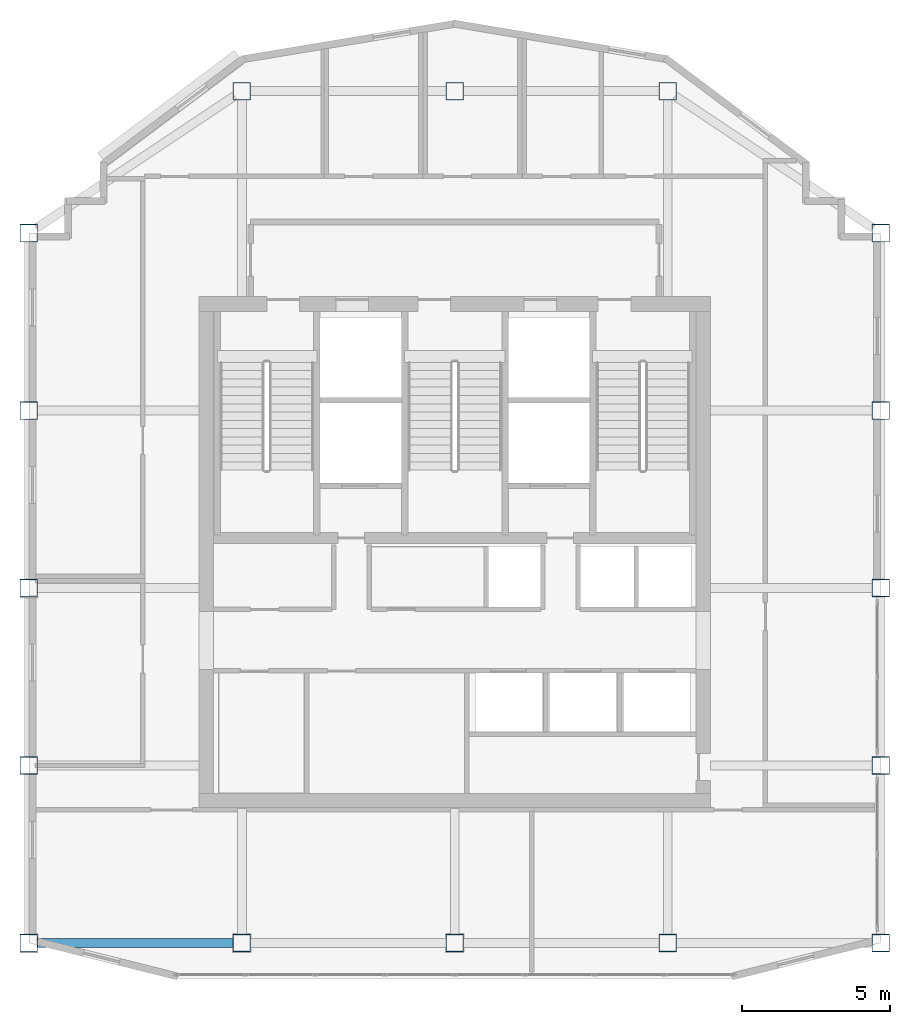
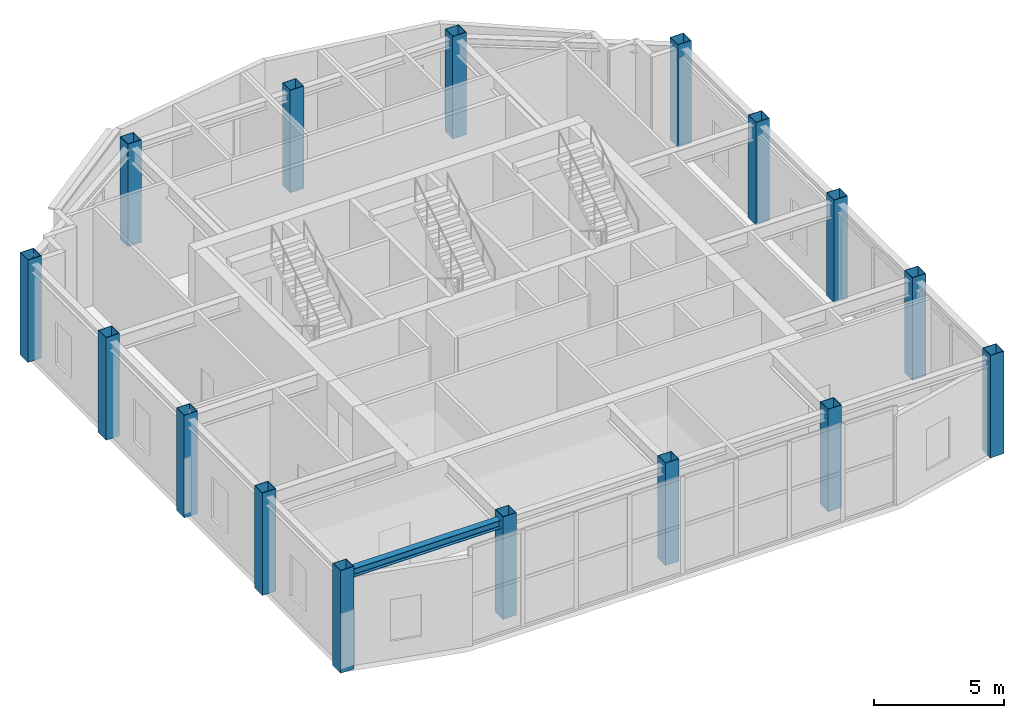
# One storey, part 1 of 11: 16 columns, 1 beam.
"""IFC4 building model written with IfcOpenShell, lengths in metres."""

from ifc_helpers import new_model, si_unit, direction, frame, origin, origin_2d, place, context, subcontext, project, spatial, hollow_rectangle, i_section, extrude, material, material_profile, profile_set, type_object, element, save


model = new_model("IFC4")

# Units and contexts
model_context = context("Model", 3, precision=1e-05, world=origin(), true_north=direction((0.0, 1.0)))
body_context = subcontext(model_context, "Body", "Model", "MODEL_VIEW")
ifc_project = project(units=[si_unit("LENGTHUNIT", "METRE"), si_unit("AREAUNIT", "SQUARE_METRE"), si_unit("VOLUMEUNIT", "CUBIC_METRE"), si_unit("PLANEANGLEUNIT", "RADIAN"), si_unit("MASSUNIT", "GRAM", prefix="KILO")], contexts=[model_context])

# Site, building, storey
site_placement = place(None, origin())
site = spatial("IfcSite", under=ifc_project, at=site_placement, CompositionType="ELEMENT")
building_placement = place(site_placement, origin())
building = spatial("IfcBuilding", under=site, at=building_placement, Name="Haolan Belvedere Tower", CompositionType="ELEMENT")
storey_placement = place(building_placement, frame((0.0, 0.0, 313.39990234375)))
storey = spatial("IfcBuildingStorey", under=building, at=storey_placement, Name="L79", CompositionType="ELEMENT", Elevation=313.39990234375)

# Columns
ifc_material_1 = material(Name="Steel Q390GJC", Category="steel")
ifc_material_profile_1 = material_profile(ifc_material_1, hollow_rectangle(XDim=0.60009765625, YDim=0.60009765625, WallThickness=0.02392578125, at=origin_2d()), Name="Steel Q390GJC")
ifc_profile_set_1 = profile_set([ifc_material_profile_1], Name="Steel Q390GJC")
column_type = type_object("IfcColumnType", Name="COL-BOX600x600x24", PredefinedType="COLUMN", material=ifc_profile_set_1)
for number, where, z_axis, x_axis, name in (
    (1, (24.0, 21.60009765625, 0.0), (0.0, 0.0, 1.0), (1.0, 0.0, 0.0), "L79 column MC-T3-SW (BOX600x600x24)"),
    (2, (24.0, 33.60009765625, 0.0), (0.0, 0.0, 1.0), (1.0, 0.0, 0.0), "L79 column MC-T3-MW (BOX600x600x24)"),
    (3, (24.0, 45.60009765625, 0.0), (0.0, 0.0, 1.0), (1.0, 0.0, 0.0), "L79 column MC-T3-NW (BOX600x600x24)"),
    (4, (52.800048828125, 21.60009765625, 0.0), (0.0, 0.0, 1.0), (1.0, 0.0, 0.0), "L79 column MC-T3-SE (BOX600x600x24)"),
    (5, (52.800048828125, 33.60009765625, 0.0), (0.0, 0.0, 1.0), (1.0, 0.0, 0.0), "L79 column MC-T3-ME (BOX600x600x24)"),
    (6, (52.800048828125, 45.60009765625, 0.0), (0.0, 0.0, 1.0), (1.0, 0.0, 0.0), "L79 column MC-T3-NE (BOX600x600x24)"),
    (7, (31.199951171875, 21.60009765625, 0.0), (0.0, 0.0, 1.0), (1.0, 0.0, 0.0), "L79 column MC-T3-S1 (BOX600x600x24)"),
    (8, (45.60009765625, 21.60009765625, 0.0), (0.0, 0.0, 1.0), (1.0, 0.0, 0.0), "L79 column MC-T3-S2 (BOX600x600x24)"),
    (9, (31.199951171875, 50.39990234375, 0.0), (0.0, 0.0, 1.0), (1.0, 0.0, 0.0), "L79 column MC-T3-N1 (BOX600x600x24)"),
    (10, (45.60009765625, 50.39990234375, 0.0), (0.0, 0.0, 1.0), (1.0, 0.0, 0.0), "L79 column MC-T3-N2 (BOX600x600x24)"),
    (11, (24.0, 27.60009765625, 0.0), (0.0, 0.0, 1.0), (1.0, 0.0, 0.0), "L79 column TC-T3-W1 (BOX600x600x24)"),
    (12, (24.0, 39.60009765625, 0.0), (0.0, 0.0, 1.0), (1.0, 0.0, 0.0), "L79 column TC-T3-W2 (BOX600x600x24)"),
    (13, (52.800048828125, 27.60009765625, 0.0), (0.0, 0.0, 1.0), (1.0, 0.0, 0.0), "L79 column TC-T3-E1 (BOX600x600x24)"),
    (14, (52.800048828125, 39.60009765625, 0.0), (0.0, 0.0, 1.0), (1.0, 0.0, 0.0), "L79 column TC-T3-E2 (BOX600x600x24)"),
    (15, (38.39990234375, 21.60009765625, 0.0), (0.0, 0.0, 1.0), (1.0, 0.0, 0.0), "L79 column TC-T3-SM (BOX600x600x24)"),
    (16, (38.39990234375, 50.39990234375, 0.0), (0.0, 0.0, 1.0), (1.0, 0.0, 0.0), "L79 column TC-T3-NM (BOX600x600x24)"),
):
    element("IfcColumn", number, at=place(storey_placement, frame(where, z_axis=z_axis, x_axis=x_axis)), inside=storey, type_object=column_type, Name=name, PredefinedType="COLUMN", context=body_context, shape_type="SweptSolid", body=[
        extrude(hollow_rectangle(XDim=0.60009765625, YDim=0.60009765625, WallThickness=0.02392578125, at=origin_2d()), origin(), (0.0, 0.0, 1.0), 4.800048828125),
    ])

# Beam
ifc_material_2 = material(Name="Steel Q355B", Category="steel")
ifc_material_profile_2 = material_profile(ifc_material_2, i_section(OverallWidth=0.300048828125, OverallDepth=0.389892578125, WebThickness=0.010009765625, FlangeThickness=0.01611328125, FilletRadius=0.02197265625, at=origin_2d()), Name="Steel Q355B")
ifc_profile_set_2 = profile_set([ifc_material_profile_2], Name="Steel Q355B")
beam_type = type_object("IfcBeamType", Name="BM-HM390x300x10x16", PredefinedType="SPANDREL", material=ifc_profile_set_2)
beam_placement = place(storey_placement, frame((24.300048828125, 21.60009765625, 4.364990234375), z_axis=(1.0, 0.0, 0.0), x_axis=(0.0, 1.0, 0.0)))
element("IfcBeam", 17, at=beam_placement, inside=storey, type_object=beam_type, Name="L79 spandrel girder MC-T3-SW-MC-T3-S1", PredefinedType="SPANDREL", context=body_context, shape_type="SweptSolid", body=[
    extrude(i_section(OverallWidth=0.300048828125, OverallDepth=0.389892578125, WebThickness=0.010009765625, FlangeThickness=0.01611328125, FilletRadius=0.02197265625, at=origin_2d()), origin(), (0.0, 0.0, 1.0), 6.599853515625),
])

save(model, "model.ifc")
